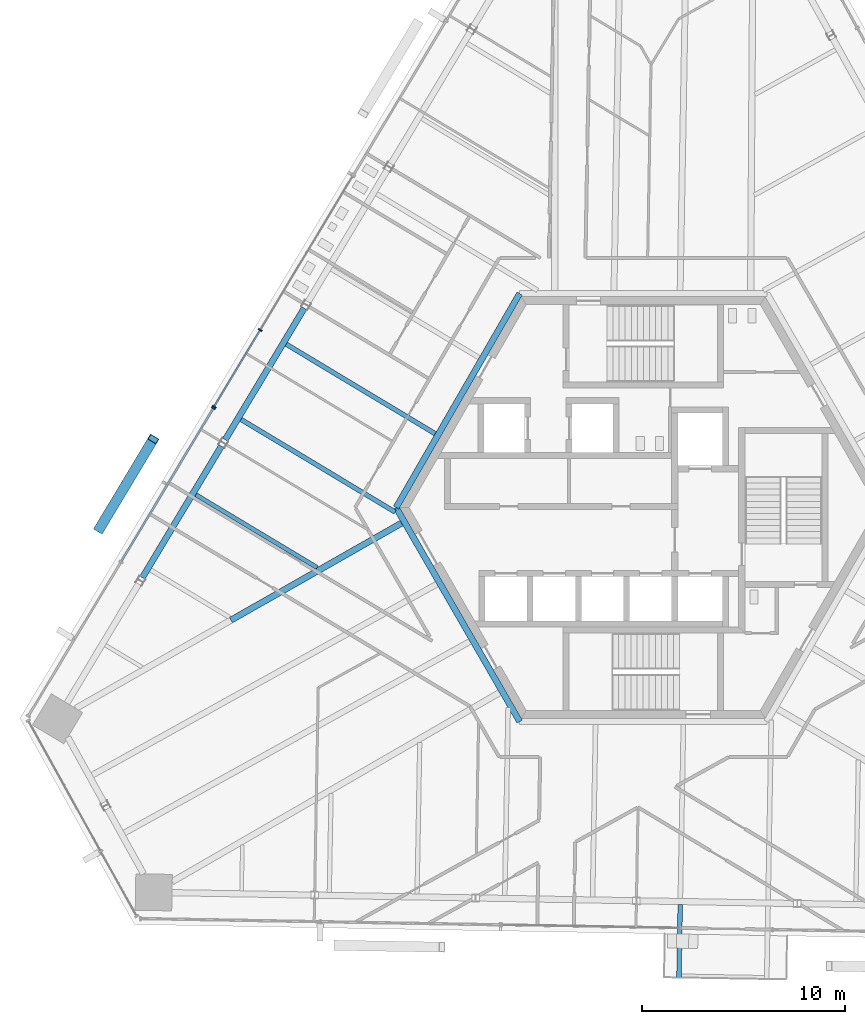
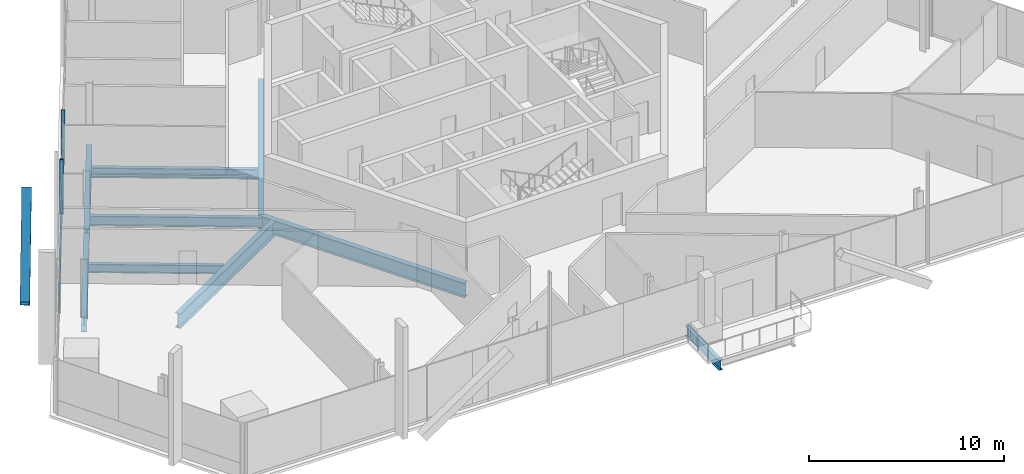
# One storey, part 5 of 21: 9 beams, 6 members, 2 elements without a shape of their own.
"""IFC4 building model written with IfcOpenShell, lengths in metres."""

import ifcopenshell
import ifcopenshell.guid

model = None  # the IFC model being written
_history = None  # IfcOwnerHistory: only IFC2X3 demands one
_inside = {}  # id of a spatial element -> (the spatial element, [elements in it])
_under = {}  # id of a project, library or spatial element -> (it, [spatial elements below it])
_declared = {}  # id of a project -> (the project, [libraries it declares])
_typed = {}  # id of a type object -> (the type object, [elements of that type])
_made_of = {}  # id of a material, layer set ... -> (it, [elements and type objects made of it])


def new_model(schema):
    """Start an empty IFC model of exactly this schema.

    Asked for "IFC4X3", IfcOpenShell would pick the latest addendum, in which some entities
    have other attributes; the version numbers below select the first issue.
    IFC2X3 requires an IfcOwnerHistory on every rooted entity: one is made here for all.
    """
    global model, _history
    if schema == "IFC4X3":
        model = ifcopenshell.file(schema_version=(4, 3, 0, 0))
    else:
        model = ifcopenshell.file(schema=schema)
    _inside.clear()
    _under.clear()
    _declared.clear()
    _typed.clear()
    _made_of.clear()
    _history = None
    if model.schema == "IFC2X3":
        org = make("IfcOrganization", Name="unknown")
        user = make(
            "IfcPersonAndOrganization",
            ThePerson=make("IfcPerson", FamilyName="unknown"),
            TheOrganization=org,
        )
        app = make(
            "IfcApplication",
            ApplicationDeveloper=org,
            Version="unknown",
            ApplicationFullName="unknown",
            ApplicationIdentifier="unknown",
        )
        _history = make(
            "IfcOwnerHistory",
            OwningUser=user,
            OwningApplication=app,
            ChangeAction="ADDED",
            CreationDate=0,
        )
    return model


def make(cls, **values):
    """One entity of the class cls with the attributes given. An attribute that is None is left unset."""
    return model.create_entity(
        cls, **{name: value for name, value in values.items() if value is not None}
    )


def rooted(cls, **values):
    """An entity with a GlobalId (a new one), such as an element, a storey or a relation."""
    return make(cls, GlobalId=ifcopenshell.guid.new(), OwnerHistory=_history, **values)


def si_unit(unit_type, name, prefix=None):
    """IfcSIUnit, for example si_unit("LENGTHUNIT", "METRE", prefix="MILLI")."""
    return make("IfcSIUnit", UnitType=unit_type, Prefix=prefix, Name=name)


def assignment(units):
    """IfcUnitAssignment: the units of a project."""
    return None if units is None else make("IfcUnitAssignment", Units=units)


def point(xyz):
    """IfcCartesianPoint."""
    return None if xyz is None else make("IfcCartesianPoint", Coordinates=xyz)


def direction(xyz):
    """IfcDirection."""
    return None if xyz is None else make("IfcDirection", DirectionRatios=xyz)


def frame(location, z_axis=None, x_axis=None):
    """IfcAxis2Placement3D, a coordinate frame: its origin and axes. An axis left out is left unset."""
    return make(
        "IfcAxis2Placement3D",
        Location=point(location),
        Axis=direction(z_axis),
        RefDirection=direction(x_axis),
    )


def frame_2d(location, x_axis=None):
    """IfcAxis2Placement2D, a coordinate frame in the plane: its origin and x axis."""
    return make(
        "IfcAxis2Placement2D", Location=point(location), RefDirection=direction(x_axis)
    )


def origin():
    """The frame at (0, 0, 0) with its axes left unset."""
    return frame((0.0, 0.0, 0.0))


def origin_2d():
    """The frame at (0, 0) in the plane with its x axis left unset."""
    return frame_2d((0.0, 0.0))


def place(relative_to, where):
    """IfcLocalPlacement: puts the frame where relative to a parent placement (None: the world)."""
    return make(
        "IfcLocalPlacement", PlacementRelTo=relative_to, RelativePlacement=where
    )


def context(
    kind, dimensions, precision=None, world=None, true_north=None, identifier=None
):
    """IfcGeometricRepresentationContext, for example the 3D "Model" context."""
    return make(
        "IfcGeometricRepresentationContext",
        ContextIdentifier=identifier,
        ContextType=kind,
        CoordinateSpaceDimension=dimensions,
        Precision=precision,
        WorldCoordinateSystem=world,
        TrueNorth=true_north,
    )


def subcontext(parent, identifier, kind, view, scale=None):
    """IfcGeometricRepresentationSubContext, for example "Body" below "Model"."""
    return make(
        "IfcGeometricRepresentationSubContext",
        ContextIdentifier=identifier,
        ContextType=kind,
        ParentContext=parent,
        TargetScale=scale,
        TargetView=view,
    )


def project(units=None, contexts=None):
    """IfcProject with its units and contexts."""
    return rooted(
        "IfcProject",
        Name="project",
        RepresentationContexts=contexts,
        UnitsInContext=assignment(units),
    )


def spatial(cls, under=None, at=None, **own):
    """A site, building, storey or space (cls), placed at a placement, below another one or the project."""
    s = rooted(cls, ObjectPlacement=at, **own)
    if under is not None:
        _under.setdefault(under.id(), (under, []))[1].append(s)
    return s


def profile(cls, at=None, kind="AREA", **sizes):
    """A parametric profile (cls). Its sizes go by their IFC names, for example OverallWidth=200.0."""
    return make(cls, ProfileType=kind, Position=at, **sizes)


def rectangle(**sizes):
    """IfcRectangleProfileDef."""
    return profile("IfcRectangleProfileDef", **sizes)


def hollow_rectangle(**sizes):
    """IfcRectangleHollowProfileDef."""
    return profile("IfcRectangleHollowProfileDef", **sizes)


def i_section(**sizes):
    """IfcIShapeProfileDef."""
    return profile("IfcIShapeProfileDef", **sizes)


def extrude(swept, where, along, depth):
    """IfcExtrudedAreaSolid: the profile swept, set in the frame where, extruded along a direction by depth."""
    return make(
        "IfcExtrudedAreaSolid",
        SweptArea=swept,
        Position=where,
        ExtrudedDirection=direction(along),
        Depth=depth,
    )


def shape(context_of_items, identifier, shape_type, items):
    """IfcShapeRepresentation: the items that make up one representation, for example the "Body"."""
    return make(
        "IfcShapeRepresentation",
        ContextOfItems=context_of_items,
        RepresentationIdentifier=identifier,
        RepresentationType=shape_type,
        Items=items,
    )


def source(mapping_origin, context_of_items, identifier, shape_type, items):
    """IfcRepresentationMap: a shape defined once, which mapped items show again and again."""
    return make(
        "IfcRepresentationMap",
        MappingOrigin=mapping_origin,
        MappedRepresentation=shape(context_of_items, identifier, shape_type, items),
    )


def transform(
    local_origin,
    x_axis=None,
    y_axis=None,
    z_axis=None,
    scale=None,
    scale2=None,
    scale3=None,
    uniform=True,
):
    """IfcCartesianTransformationOperator3D, or its non-uniform kind. x_axis, y_axis, z_axis: its Axis1, 2, 3."""
    if uniform:
        return make(
            "IfcCartesianTransformationOperator3D",
            Axis1=direction(x_axis),
            Axis2=direction(y_axis),
            LocalOrigin=point(local_origin),
            Scale=scale,
            Axis3=direction(z_axis),
        )
    return make(
        "IfcCartesianTransformationOperator3DnonUniform",
        Axis1=direction(x_axis),
        Axis2=direction(y_axis),
        LocalOrigin=point(local_origin),
        Scale=scale,
        Axis3=direction(z_axis),
        Scale2=scale2,
        Scale3=scale3,
    )


def mapped(mapping_source, mapping_target):
    """IfcMappedItem: shows the shape of a source again, moved by a transform."""
    return make(
        "IfcMappedItem", MappingSource=mapping_source, MappingTarget=mapping_target
    )


def material(Name=None, Category=None):
    """IfcMaterial."""
    return make("IfcMaterial", Name=Name, Category=Category)


def material_profile(
    of_material, cross_section, Name=None, Category=None, Priority=None
):
    """IfcMaterialProfile: a cross section and its material."""
    return make(
        "IfcMaterialProfile",
        Name=Name,
        Material=of_material,
        Profile=cross_section,
        Priority=Priority,
        Category=Category,
    )


def profile_set(profiles, Name=None, composite=None):
    """IfcMaterialProfileSet."""
    return make(
        "IfcMaterialProfileSet",
        Name=Name,
        MaterialProfiles=profiles,
        CompositeProfile=composite,
    )


def made_of(thing, what):
    """Note that an element or type object is made of a material, layer set ...; save() writes the relation."""
    if what is not None:
        _made_of.setdefault(what.id(), (what, []))[1].append(thing)
    return thing


def type_object(cls, material=None, **own):
    """A type object (cls), such as IfcWallType, which elements share."""
    return made_of(rooted(cls, **own), material)


def element(
    cls,
    number,
    at=None,
    inside=None,
    cuts=None,
    type_object=None,
    material=None,
    context=None,
    identifier="Body",
    shape_type=None,
    held_by="IfcProductDefinitionShape",
    body=None,
    shapes=None,
    **own,
):
    """One element of the class cls, such as IfcWall. Its Tag is "e" and its number.

    at: its placement. inside: the storey or other place that contains it. cuts: it is an
    opening in that element (IfcRelVoidsElement). A single representation is given by context,
    identifier, shape_type and body (its items); several are given by shapes. held_by: the class
    of the entity that holds the representations. save() writes the other relations.
    """
    e = rooted(cls, Tag="e%d" % number, ObjectPlacement=at, **own)
    if body is not None:
        shapes = [shape(context, identifier, shape_type, body)]
    if shapes is not None:
        e.Representation = make(held_by, Representations=shapes)
    if inside is not None:
        _inside.setdefault(inside.id(), (inside, []))[1].append(e)
    if cuts is not None:
        rooted(
            "IfcRelVoidsElement", RelatingBuildingElement=cuts, RelatedOpeningElement=e
        )
    if type_object is not None:
        _typed.setdefault(type_object.id(), (type_object, []))[1].append(e)
    return made_of(e, material)


def aggregate(whole, parts):
    """IfcRelAggregates: a whole, such as a stair, and the parts it consists of."""
    return rooted("IfcRelAggregates", RelatingObject=whole, RelatedObjects=parts)


def save(model, path):
    """Write the relations noted so far, then the file.

    IfcRelAggregates (storeys below a building ...), IfcRelContainedInSpatialStructure (elements
    in a storey), IfcRelDefinesByType, IfcRelAssociatesMaterial and IfcRelDeclares: one each for
    every whole, place, type object, material and project.
    """
    for whole, parts in _under.values():
        aggregate(whole, parts)
    for where, things in _inside.values():
        rooted(
            "IfcRelContainedInSpatialStructure",
            RelatedElements=things,
            RelatingStructure=where,
        )
    for kind, things in _typed.values():
        rooted("IfcRelDefinesByType", RelatedObjects=things, RelatingType=kind)
    for what, things in _made_of.values():
        rooted("IfcRelAssociatesMaterial", RelatedObjects=things, RelatingMaterial=what)
    for by, libraries in _declared.values():
        rooted("IfcRelDeclares", RelatingContext=by, RelatedDefinitions=libraries)
    model.write(path)


model = new_model("IFC4")

# Units and contexts
model_context = context("Model", 3, precision=1e-05, world=origin(), true_north=direction((0.0, 1.0)))
body_context = subcontext(model_context, "Body", "Model", "MODEL_VIEW")
ifc_project = project(units=[si_unit("LENGTHUNIT", "METRE"), si_unit("AREAUNIT", "SQUARE_METRE"), si_unit("VOLUMEUNIT", "CUBIC_METRE"), si_unit("PLANEANGLEUNIT", "RADIAN"), si_unit("MASSUNIT", "GRAM", prefix="KILO")], contexts=[model_context])

# Site, building, storey
site_placement = place(None, origin())
site = spatial("IfcSite", under=ifc_project, at=site_placement, CompositionType="ELEMENT")
building_placement = place(site_placement, origin())
building = spatial("IfcBuilding", under=site, at=building_placement, Name="Triune Harvest Tower", CompositionType="ELEMENT")
storey_placement = place(building_placement, frame((0.0, 0.0, 187.10009765625)))
storey = spatial("IfcBuildingStorey", under=building, at=storey_placement, Name="L48", CompositionType="ELEMENT", Elevation=187.10009765625)

# Beams
ifc_material_1 = material(Name="Steel ASTM A992 Gr 50", Category="steel")
ifc_material_profile_1 = material_profile(ifc_material_1, i_section(OverallWidth=0.3046875, OverallDepth=0.914306640625, WebThickness=0.0166015625, FlangeThickness=0.02587890625, at=origin_2d()), Name="W36x160")
ifc_profile_set_1 = profile_set([ifc_material_profile_1], Name="Steel ASTM A992 Gr 50")
beam_type_1 = type_object("IfcBeamType", Name="CG-1 Core ring girder W36x160", PredefinedType="BEAM", material=ifc_profile_set_1)
shared_shape_1 = source(origin(), body_context, "Body", "SweptSolid", [
    extrude(i_section(OverallWidth=0.3046875, OverallDepth=0.914306640625, WebThickness=0.0166015625, FlangeThickness=0.02587890625, at=origin_2d()), origin(), (0.0, 0.0, 1.0), 12.176025390625),
])
for number, where, z_axis, x_axis, name in (
    (1, (-6.087890625, 10.544677734375, -0.6171875), (-0.5000099932, -0.866019634131, 0.0), (0.866019634131, -0.5000099932, 0.0), "beam/L48/CG3"),
    (2, (-12.176025390625, 0.0, -0.6171875), (0.5000099932, -0.866019634131, 0.0), (0.866019634131, 0.5000099932, 0.0), "beam/L48/CG4"),
):
    element("IfcBeam", number, at=place(storey_placement, frame(where, z_axis=z_axis, x_axis=x_axis)), inside=storey, type_object=beam_type_1, Name=name, PredefinedType="BEAM", context=body_context, shape_type="MappedRepresentation", body=[
        mapped(shared_shape_1, transform((0.0, 0.0, 0.0), scale=1.0)),
    ])
ifc_material_2 = material(Name="Steel ASTM A992 Gr 50", Category="steel")
ifc_material_profile_2 = material_profile(ifc_material_2, i_section(OverallWidth=0.307373046875, OverallDepth=0.922119140625, WebThickness=0.018310546875, FlangeThickness=0.030029296875, at=origin_2d()), Name="W36x182")
ifc_profile_set_2 = profile_set([ifc_material_profile_2], Name="Steel ASTM A992 Gr 50")
beam_type_2 = type_object("IfcBeamType", Name="HG-2 Hip girder W36x182", PredefinedType="BEAM", material=ifc_profile_set_2)
shared_shape_2 = source(origin(), body_context, "Body", "SweptSolid", [
    extrude(i_section(OverallWidth=0.307373046875, OverallDepth=0.922119140625, WebThickness=0.018310546875, FlangeThickness=0.030029296875, at=origin_2d()), origin(), (0.0, 0.0, 1.0), 9.672119140625),
])
beam_1_placement = place(storey_placement, frame((-20.31591796875, -5.549560546875, -0.62109375), z_axis=(0.869255664029, 0.494362812673, 0.0), x_axis=(-0.494362812673, 0.869255664029, 0.0)))
element("IfcBeam", 3, at=beam_1_placement, inside=storey, type_object=beam_type_2, Name="beam/L48/HG6", PredefinedType="BEAM", context=body_context, shape_type="MappedRepresentation", body=[
    mapped(shared_shape_2, transform((0.0, 0.0, 0.0), scale=1.0)),
])
ifc_material_3 = material(Name="Steel ASTM A992 Gr 50", Category="steel")
ifc_material_profile_3 = material_profile(ifc_material_3, i_section(OverallWidth=0.3046875, OverallDepth=0.914306640625, WebThickness=0.0166015625, FlangeThickness=0.02587890625, at=origin_2d()), Name="W36x160")
ifc_profile_set_3 = profile_set([ifc_material_profile_3], Name="Steel ASTM A992 Gr 50")
beam_type_3 = type_object("IfcBeamType", Name="SB-1 Spandrel beam W36x160", PredefinedType="SPANDREL", material=ifc_profile_set_3)
shared_shape_3 = source(origin(), body_context, "Body", "SweptSolid", [
    extrude(i_section(OverallWidth=0.3046875, OverallDepth=0.914306640625, WebThickness=0.0166015625, FlangeThickness=0.02587890625, at=origin_2d()), origin(), (0.0, 0.0, 1.0), 7.556396484375),
])
for number, where, z_axis, x_axis, name in (
    (4, (-16.702880859375, 9.81982421875, -0.6171875), (-0.515065795781, -0.857150643712, 0.0), (0.857150643712, -0.515065795781, 0.0), "beam/L48/SB12"),
    (5, (-20.785888671875, 3.02490234375, -0.6171875), (-0.51504205773, -0.85716490757, 0.0), (0.85716490757, -0.51504205773, 0.0), "beam/L48/SB13"),
):
    element("IfcBeam", number, at=place(storey_placement, frame(where, z_axis=z_axis, x_axis=x_axis)), inside=storey, type_object=beam_type_3, Name=name, PredefinedType="SPANDREL", context=body_context, shape_type="MappedRepresentation", body=[
        mapped(shared_shape_3, transform((0.0, 0.0, 0.0), scale=1.0)),
    ])
ifc_material_4 = material(Name="Steel ASTM A992 Gr 50", Category="steel")
ifc_material_profile_4 = material_profile(ifc_material_4, i_section(OverallWidth=0.22900390625, OverallDepth=0.612060546875, WebThickness=0.011962890625, FlangeThickness=0.01953125, at=origin_2d()), Name="W24x84")
ifc_profile_set_4 = profile_set([ifc_material_profile_4], Name="Steel ASTM A992 Gr 50")
beam_type_4 = type_object("IfcBeamType", Name="JT-3 Floor joist W24x84", PredefinedType="JOIST", material=ifc_profile_set_4)
shared_shape_4 = source(origin(), body_context, "Body", "SweptSolid", [
    extrude(i_section(OverallWidth=0.22900390625, OverallDepth=0.612060546875, WebThickness=0.011962890625, FlangeThickness=0.01953125, at=origin_2d()), origin(), (0.0, 0.0, 1.0), 8.85888671875),
])
beam_2_placement = place(storey_placement, frame((-19.8173828125, 4.3408203125, -0.46630859375), z_axis=(0.857174209269, -0.515026576948, 0.0), x_axis=(0.515026576948, 0.857174209269, 0.0)))
element("IfcBeam", 6, at=beam_2_placement, inside=storey, type_object=beam_type_4, Name="beam/L48/JT19", PredefinedType="JOIST", context=body_context, shape_type="MappedRepresentation", body=[
    mapped(shared_shape_4, transform((0.0, 0.0, 0.0), scale=1.0)),
])
shared_shape_5 = source(origin(), body_context, "Body", "SweptSolid", [
    extrude(i_section(OverallWidth=0.22900390625, OverallDepth=0.612060546875, WebThickness=0.011962890625, FlangeThickness=0.01953125, at=origin_2d()), origin(), (0.0, 0.0, 1.0), 8.5615234375),
])
beam_3_placement = place(storey_placement, frame((-17.59033203125, 8.047119140625, -0.46630859375), z_axis=(0.857170691548, -0.515032431553, 0.0), x_axis=(0.515032431553, 0.857170691548, 0.0)))
element("IfcBeam", 7, at=beam_3_placement, inside=storey, type_object=beam_type_4, Name="beam/L48/JT18", PredefinedType="JOIST", context=body_context, shape_type="MappedRepresentation", body=[
    mapped(shared_shape_5, transform((0.0, 0.0, 0.0), scale=1.0)),
])
ifc_material_5 = material(Name="Steel ASTM A992 Gr 50", Category="steel")
ifc_material_profile_5 = material_profile(ifc_material_5, i_section(OverallWidth=0.2099609375, OverallDepth=0.535888671875, WebThickness=0.010986328125, FlangeThickness=0.017333984375, at=origin_2d()), Name="W21x68")
ifc_profile_set_5 = profile_set([ifc_material_profile_5], Name="Steel ASTM A992 Gr 50")
beam_type_5 = type_object("IfcBeamType", Name="JT-2 Floor joist W21x68", PredefinedType="JOIST", material=ifc_profile_set_5)
shared_shape_6 = source(origin(), body_context, "Body", "SweptSolid", [
    extrude(i_section(OverallWidth=0.2099609375, OverallDepth=0.535888671875, WebThickness=0.010986328125, FlangeThickness=0.017333984375, at=origin_2d()), origin(), (0.0, 0.0, 1.0), 6.972900390625),
])
beam_4_placement = place(storey_placement, frame((-22.04443359375, 0.634521484375, -0.427978515625), z_axis=(0.857162181364, -0.515046594823, 0.0), x_axis=(0.515046594823, 0.857162181364, 0.0)))
element("IfcBeam", 8, at=beam_4_placement, inside=storey, type_object=beam_type_5, Name="beam/L48/JT20", PredefinedType="JOIST", context=body_context, shape_type="MappedRepresentation", body=[
    mapped(shared_shape_6, transform((0.0, 0.0, 0.0), scale=1.0)),
])

# Member
ifc_material_6 = material(Name="Steel ASTM A572 Gr 50", Category="steel")
ifc_material_profile_6 = material_profile(ifc_material_6, hollow_rectangle(XDim=0.5, YDim=0.5, WallThickness=0.030029296875, at=origin_2d()), Name="Box 500x500x30")
ifc_profile_set_6 = profile_set([ifc_material_profile_6], Name="Steel ASTM A572 Gr 50")
member_type_1 = type_object("IfcMemberType", Name="BR-3 Brace Box 500x500x30", PredefinedType="BRACE", material=ifc_profile_set_6)
shared_shape_7 = source(origin(), body_context, "Body", "SweptSolid", [
    extrude(hollow_rectangle(XDim=0.5, YDim=0.5, WallThickness=0.030029296875, at=origin_2d()), origin(), (0.0, 0.0, 1.0), 6.302978515625),
])
member_1_placement = place(storey_placement, frame((-26.8017578125, -1.061279296875, 0.0), z_axis=(0.422750996044, 0.703616624806, 0.571143800317), x_axis=(-0.857180490419, 0.515016122898, 0.0)))
element("IfcMember", 9, at=member_1_placement, inside=storey, type_object=member_type_1, Name="brace/B5-F3/d2/3", PredefinedType="BRACE", context=body_context, shape_type="MappedRepresentation", body=[
    mapped(shared_shape_7, transform((0.0, 0.0, 0.0), scale=1.0)),
])

# Curtain wall, members
ifc_material_7 = material(Name="Aluminium bronze anodised", Category="aluminium")
curtain_wall_type_1 = type_object("IfcCurtainWallType", Name="CW-1 Tower stick curtain wall", PredefinedType="NOTDEFINED", material=ifc_material_7)
curtain_wall_1_placement = place(storey_placement, origin())
curtain_wall_1 = element("IfcCurtainWall", 10, at=curtain_wall_1_placement, inside=storey, type_object=curtain_wall_type_1, Name="CW-1 B5-F3 L48 run 1001")
ifc_material_8 = material(Name="Aluminium bronze anodised", Category="aluminium")
ifc_material_profile_7 = material_profile(ifc_material_8, rectangle(XDim=0.199951171875, YDim=0.074951171875, at=origin_2d()), Name="MU-1 mullion 75 x 200")
ifc_profile_set_7 = profile_set([ifc_material_profile_7], Name="Aluminium bronze anodised")
member_type_2 = type_object("IfcMemberType", Name="MU-1 mullion 75 x 200", PredefinedType="MULLION", material=ifc_profile_set_7)
shared_shape_8 = source(origin(), body_context, "Body", "SweptSolid", [
    extrude(rectangle(XDim=0.199951171875, YDim=0.074951171875, at=origin_2d()), origin(), (0.0, 0.0, 1.0), 3.43994140625),
])
member_2_placement = place(storey_placement, frame((-18.8681640625, 8.74462890625, 0.0), z_axis=(0.0, 0.0, 1.0), x_axis=(0.857171790128, -0.515030603177, 0.0)))
member_2 = element("IfcMember", 11, at=member_2_placement, type_object=member_type_2, Name="CW-1 mullion B5-F3 1001.3", PredefinedType="MULLION", context=body_context, shape_type="MappedRepresentation", body=[
    mapped(shared_shape_8, transform((0.0, 0.0, 0.0), scale=1.0)),
])
member_3_placement = place(storey_placement, frame((-21.1376953125, 4.96728515625, 0.0), z_axis=(0.0, 0.0, 1.0), x_axis=(0.857171790128, -0.515030603177, 0.0)))
member_3 = element("IfcMember", 12, at=member_3_placement, type_object=member_type_2, Name="CW-1 mullion B5-F3 1001.4", PredefinedType="MULLION", context=body_context, shape_type="MappedRepresentation", body=[
    mapped(shared_shape_8, transform((0.0, 0.0, 0.0), scale=1.0)),
])

# Curtain wall, member
ifc_material_9 = material(Name="Aluminium bronze anodised", Category="aluminium")
curtain_wall_type_2 = type_object("IfcCurtainWallType", Name="CW-7 Tower stick curtain wall with insulated spandrel infill", PredefinedType="NOTDEFINED", material=ifc_material_9)
curtain_wall_2_placement = place(storey_placement, origin())
curtain_wall_2 = element("IfcCurtainWall", 13, at=curtain_wall_2_placement, inside=storey, type_object=curtain_wall_type_2, Name="CW-7 B5-F3 L48 run 2001")
member_4_placement = place(storey_placement, frame((-21.176513671875, 4.903076171875, 0.0), z_axis=(0.0, 0.0, 1.0), x_axis=(0.857166809078, -0.515038893109, 0.0)))
member_4 = element("IfcMember", 14, at=member_4_placement, type_object=member_type_2, Name="CW-7 mullion B5-F3 2001.1", PredefinedType="MULLION", context=body_context, shape_type="MappedRepresentation", body=[
    mapped(shared_shape_8, transform((0.0, 0.0, 0.0), scale=1.0)),
])

# Beam
ifc_material_10 = material(Name="Steel ASTM A992 Gr 50", Category="steel")
ifc_material_profile_8 = material_profile(ifc_material_10, i_section(OverallWidth=0.22900390625, OverallDepth=0.612060546875, WebThickness=0.011962890625, FlangeThickness=0.01953125, at=origin_2d()), Name="W24x84")
ifc_profile_set_8 = profile_set([ifc_material_profile_8], Name="Steel ASTM A992 Gr 50")
beam_type_6 = type_object("IfcBeamType", Name="BJ-3 Balcony cantilever joist W24x84", PredefinedType="JOIST", material=ifc_profile_set_8)
shared_shape_9 = source(origin(), body_context, "Body", "SweptSolid", [
    extrude(i_section(OverallWidth=0.22900390625, OverallDepth=0.612060546875, WebThickness=0.011962890625, FlangeThickness=0.01953125, at=origin_2d()), origin(), (0.0, 0.0, 1.0), 3.59765625),
])
beam_5_placement = place(storey_placement, frame((1.82080078125, -19.56201171875, -0.46630859375), z_axis=(-0.017439996831, -0.99984791169, 0.0), x_axis=(0.99984791169, -0.017439996831, 0.0)))
element("IfcBeam", 15, at=beam_5_placement, inside=storey, type_object=beam_type_6, Name="Balcony cantilever joist B5-F5 L48.7b", PredefinedType="JOIST", context=body_context, shape_type="MappedRepresentation", body=[
    mapped(shared_shape_9, transform((0.0, 0.0, 0.0), scale=1.0)),
])

# Member
ifc_material_11 = material(Name="Aluminium bronze anodised", Category="aluminium")
ifc_material_profile_9 = material_profile(ifc_material_11, rectangle(XDim=0.090087890625, YDim=0.89990234375, at=origin_2d()), Name="TR-1 transom 90 x 900")
ifc_profile_set_9 = profile_set([ifc_material_profile_9], Name="Aluminium bronze anodised")
member_type_3 = type_object("IfcMemberType", Name="TR-1 transom 90 x 900", PredefinedType="USERDEFINED", material=ifc_profile_set_9)
shared_shape_10 = source(origin(), body_context, "Body", "SweptSolid", [
    extrude(rectangle(XDim=0.090087890625, YDim=0.89990234375, at=origin_2d()), origin(), (0.0, 0.0, 1.0), 4.331787109375),
])
member_5_placement = place(storey_placement, frame((-18.887451171875, 8.712646484375, 0.449951171875), z_axis=(-0.515017819003, -0.857179471353, 0.0), x_axis=(0.857179471353, -0.515017819003, 0.0)))
member_5 = element("IfcMember", 16, at=member_5_placement, type_object=member_type_3, Name="CW-1 transom B5-F3 1001.2", ObjectType="TRANSOM", PredefinedType="USERDEFINED", context=body_context, shape_type="MappedRepresentation", body=[
    mapped(shared_shape_10, transform((0.0, 0.0, 0.0), scale=1.0)),
])

aggregate(curtain_wall_1, [member_2, member_3, member_5])

shared_shape_11 = source(origin(), body_context, "Body", "SweptSolid", [
    extrude(rectangle(XDim=0.090087890625, YDim=0.89990234375, at=origin_2d()), origin(), (0.0, 0.0, 1.0), 8.77587890625),
])
member_6_placement = place(storey_placement, frame((-21.19580078125, 4.870849609375, 0.449951171875), z_axis=(-0.515043851299, -0.857163829871, 0.0), x_axis=(0.857163829871, -0.515043851299, 0.0)))
member_6 = element("IfcMember", 17, at=member_6_placement, type_object=member_type_3, Name="CW-7 transom B5-F3 2001.1", ObjectType="TRANSOM", PredefinedType="USERDEFINED", context=body_context, shape_type="MappedRepresentation", body=[
    mapped(shared_shape_11, transform((0.0, 0.0, 0.0), scale=1.0)),
])

aggregate(curtain_wall_2, [member_4, member_6])

save(model, "model.ifc")
